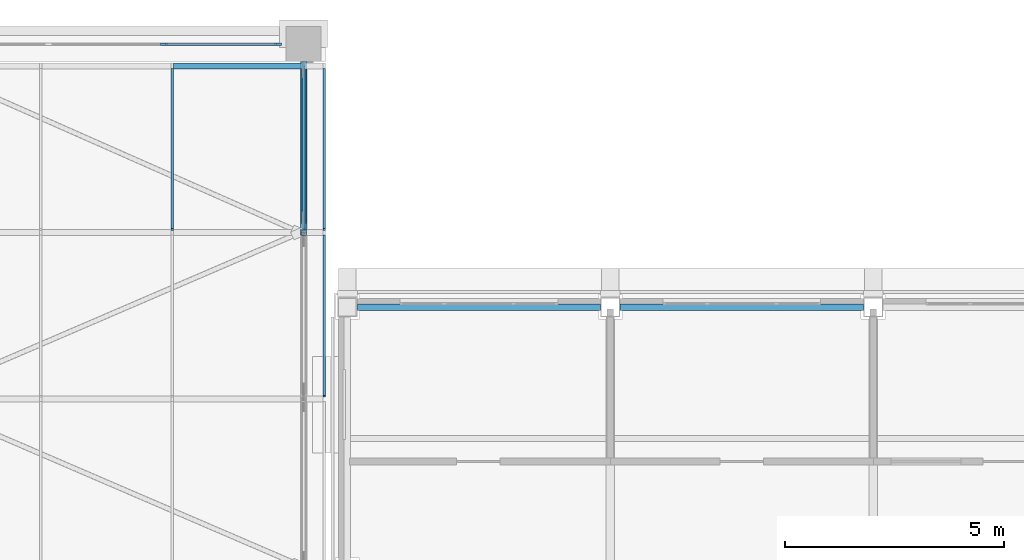
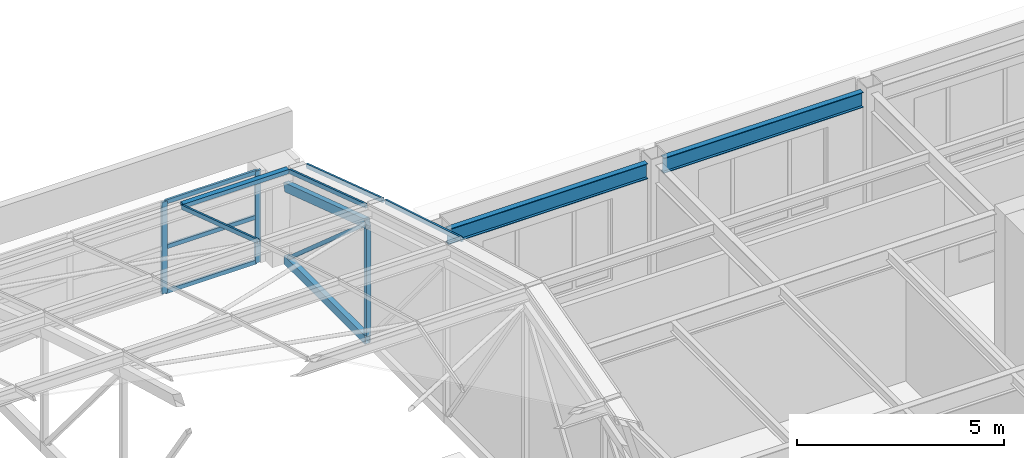
# One storey, part 43 of 82: 14 members, 2 beams, 2 elements without a shape of their own.
"""IFC4 building model written with IfcOpenShell, lengths in metres."""

from ifc_helpers import new_model, si_unit, direction, frame, origin, origin_2d, place, context, subcontext, project, spatial, rectangle, hollow_rectangle, i_section, extrude, material, material_profile, profile_set, type_object, element, aggregate, save


model = new_model("IFC4")

# Units and contexts
model_context = context("Model", 3, precision=1e-05, world=origin(), true_north=direction((0.0, 1.0)))
body_context = subcontext(model_context, "Body", "Model", "MODEL_VIEW")
ifc_project = project(units=[si_unit("LENGTHUNIT", "METRE"), si_unit("AREAUNIT", "SQUARE_METRE"), si_unit("VOLUMEUNIT", "CUBIC_METRE"), si_unit("PLANEANGLEUNIT", "RADIAN"), si_unit("MASSUNIT", "GRAM", prefix="KILO")], contexts=[model_context])

# Site, building, storey
site_placement = place(None, origin())
site = spatial("IfcSite", under=ifc_project, at=site_placement, CompositionType="ELEMENT")
building_placement = place(site_placement, origin())
building = spatial("IfcBuilding", under=site, at=building_placement, Name="Aravalli Gate Trade Fair Centre", CompositionType="ELEMENT")
storey_placement = place(building_placement, frame((0.0, 0.0, 19.199951171875)))
storey = spatial("IfcBuildingStorey", under=building, at=storey_placement, Name="L04", CompositionType="ELEMENT", Elevation=19.199951171875)

# Curtain wall, members
ifc_material_1 = material(Name="Aluminium and glass", Category="aluminium")
curtain_wall_type_1 = type_object("IfcCurtainWallType", Name="Curtain wall 3000 module", PredefinedType="NOTDEFINED", material=ifc_material_1)
curtain_wall_1_placement = place(storey_placement, origin())
curtain_wall_1 = element("IfcCurtainWall", 1, at=curtain_wall_1_placement, inside=storey, type_object=curtain_wall_type_1, Name="Curtain wall north bay 18 L04", PredefinedType="NOTDEFINED")
ifc_material_2 = material(Name="Aluminium", Category="aluminium")
ifc_material_profile_1 = material_profile(ifc_material_2, rectangle(XDim=0.06005859375, YDim=0.159912109375, at=origin_2d()), Name="Concourse curtain wall mullion 60 x 160")
ifc_profile_set_1 = profile_set([ifc_material_profile_1], Name="Aluminium")
member_type_1 = type_object("IfcMemberType", Name="Concourse curtain wall mullion 60 x 160", PredefinedType="MULLION", material=ifc_profile_set_1)
member_1_placement = place(storey_placement, frame((155.816650390625, 133.0, 0.0), z_axis=(0.0, 0.0, 1.0), x_axis=(0.0, 1.0, 0.0)))
member_1 = element("IfcMember", 2, at=member_1_placement, type_object=member_type_1, Name="CW1 mullion 3", PredefinedType="MULLION", context=body_context, shape_type="SweptSolid", body=[
    extrude(rectangle(XDim=0.06005859375, YDim=0.159912109375, at=origin_2d()), origin(), (0.0, 0.0, 1.0), 2.699951171875),
])
member_2_placement = place(storey_placement, frame((158.419921875, 133.0, 0.0), z_axis=(0.0, 0.0, 1.0), x_axis=(0.0, 1.0, 0.0)))
member_2 = element("IfcMember", 3, at=member_2_placement, type_object=member_type_1, Name="CW1 mullion 4", PredefinedType="MULLION", context=body_context, shape_type="SweptSolid", body=[
    extrude(rectangle(XDim=0.06005859375, YDim=0.159912109375, at=origin_2d()), origin(), (0.0, 0.0, 1.0), 2.699951171875),
])
ifc_material_profile_2 = material_profile(ifc_material_2, rectangle(XDim=0.06005859375, YDim=0.1201171875, at=origin_2d()), Name="Concourse curtain wall transom 60 x 120")
ifc_profile_set_2 = profile_set([ifc_material_profile_2], Name="Aluminium")
member_type_2 = type_object("IfcMemberType", Name="Concourse curtain wall transom 60 x 120", PredefinedType="USERDEFINED", material=ifc_profile_set_2)
member_3_placement = place(storey_placement, frame((155.8466796875, 133.0, 0.030029296875), z_axis=(1.0, 0.0, 0.0), x_axis=(0.0, 1.0, 0.0)))
member_3 = element("IfcMember", 4, at=member_3_placement, type_object=member_type_2, Name="CW1 transom 3.1", ObjectType="TRANSOM", PredefinedType="USERDEFINED", context=body_context, shape_type="SweptSolid", body=[
    extrude(rectangle(XDim=0.06005859375, YDim=0.1201171875, at=origin_2d()), origin(), (0.0, 0.0, 1.0), 2.543212890625),
])
member_4_placement = place(storey_placement, frame((155.8466796875, 133.0, 1.35009765625), z_axis=(1.0, 0.0, 0.0), x_axis=(0.0, 1.0, 0.0)))
member_4 = element("IfcMember", 5, at=member_4_placement, type_object=member_type_2, Name="CW1 transom 3.2", ObjectType="TRANSOM", PredefinedType="USERDEFINED", context=body_context, shape_type="SweptSolid", body=[
    extrude(rectangle(XDim=0.06005859375, YDim=0.1201171875, at=origin_2d()), origin(), (0.0, 0.0, 1.0), 2.543212890625),
])
member_5_placement = place(storey_placement, frame((155.8466796875, 133.0, 2.670166015625), z_axis=(1.0, 0.0, 0.0), x_axis=(0.0, 1.0, 0.0)))
member_5 = element("IfcMember", 6, at=member_5_placement, type_object=member_type_2, Name="CW1 transom 3.3", ObjectType="TRANSOM", PredefinedType="USERDEFINED", context=body_context, shape_type="SweptSolid", body=[
    extrude(rectangle(XDim=0.06005859375, YDim=0.1201171875, at=origin_2d()), origin(), (0.0, 0.0, 1.0), 2.543212890625),
])
aggregate(curtain_wall_1, [member_1, member_2, member_3, member_4, member_5])

# Members
ifc_material_3 = material(Name="Steel E350", Category="steel")
ifc_material_profile_3 = material_profile(ifc_material_3, hollow_rectangle(XDim=0.14990234375, YDim=0.25, WallThickness=0.010009765625, at=origin_2d()), Name="RHS 250x150x10")
ifc_profile_set_3 = profile_set([ifc_material_profile_3], Name="Steel E350")
member_type_3 = type_object("IfcMemberType", Name="RHS 250x150x10 CT2 truss chord", PredefinedType="CHORD", material=ifc_profile_set_3)
member_6_placement = place(storey_placement, frame((159.0, 128.699951171875, 3.54833984375), z_axis=(0.0, 0.949942278101, -0.312425460353), x_axis=(-1.0, 0.0, 0.0)))
element("IfcMember", 7, at=member_6_placement, inside=storey, type_object=member_type_3, Name="Concourse vault truss CT2 line E top chord T6", PredefinedType="CHORD", context=body_context, shape_type="SweptSolid", body=[
    extrude(hollow_rectangle(XDim=0.14990234375, YDim=0.25, WallThickness=0.010009765625, at=origin_2d()), origin(), (0.0, 0.0, 1.0), 4.105712890625),
])
member_7_placement = place(storey_placement, frame((159.0, 128.699951171875, 0.125), z_axis=(0.0, 1.0, 0.0), x_axis=(-1.0, 0.0, 0.0)))
element("IfcMember", 8, at=member_7_placement, inside=storey, type_object=member_type_3, Name="Concourse vault truss CT2 line E bottom chord B6", PredefinedType="CHORD", context=body_context, shape_type="SweptSolid", body=[
    extrude(hollow_rectangle(XDim=0.14990234375, YDim=0.25, WallThickness=0.010009765625, at=origin_2d()), origin(), (0.0, 0.0, 1.0), 3.900146484375),
])
ifc_material_profile_4 = material_profile(ifc_material_3, hollow_rectangle(XDim=0.10009765625, YDim=0.10009765625, WallThickness=0.006103515625, at=origin_2d()), Name="SHS 100x100x6")
ifc_profile_set_4 = profile_set([ifc_material_profile_4], Name="Steel E350")
member_type_4 = type_object("IfcMemberType", Name="SHS 100x100x6 CT2 truss diagonal", PredefinedType="BRACE", material=ifc_profile_set_4)
member_8_placement = place(storey_placement, frame((159.0, 128.939697265625, 3.338134765625), z_axis=(0.0, 0.751512751569, -0.659718564411), x_axis=(-1.0, 0.0, 0.0)))
element("IfcMember", 9, at=member_8_placement, inside=storey, type_object=member_type_4, Name="Concourse vault truss CT2 line E diagonal D6", PredefinedType="BRACE", context=body_context, shape_type="SweptSolid", body=[
    extrude(hollow_rectangle(XDim=0.10009765625, YDim=0.10009765625, WallThickness=0.006103515625, at=origin_2d()), origin(), (0.0, 0.0, 1.0), 4.680908203125),
])
ifc_material_profile_5 = material_profile(ifc_material_3, hollow_rectangle(XDim=0.125, YDim=0.125, WallThickness=0.006103515625, at=origin_2d()), Name="SHS 125x125x6")
ifc_profile_set_5 = profile_set([ifc_material_profile_5], Name="Steel E350")
member_type_5 = type_object("IfcMemberType", Name="SHS 125x125x6 CT2 truss post", PredefinedType="POST", material=ifc_profile_set_5)
member_9_placement = place(storey_placement, frame((159.0, 128.699951171875, 0.25), z_axis=(0.0, 0.0, 1.0), x_axis=(1.0, 0.0, 0.0)))
element("IfcMember", 10, at=member_9_placement, inside=storey, type_object=member_type_5, Name="Concourse vault truss CT2 line E post V5", PredefinedType="POST", context=body_context, shape_type="SweptSolid", body=[
    extrude(hollow_rectangle(XDim=0.125, YDim=0.125, WallThickness=0.006103515625, at=origin_2d()), origin(), (0.0, 0.0, 1.0), 3.166748046875),
])
ifc_material_profile_6 = material_profile(ifc_material_2, rectangle(XDim=0.139892578125, YDim=0.1201171875, at=origin_2d()), Name="Vault fold cap 140 x 120")
ifc_profile_set_6 = profile_set([ifc_material_profile_6], Name="Aluminium")
member_type_6 = type_object("IfcMemberType", Name="Vault fold cap 140 x 120", PredefinedType="USERDEFINED", material=ifc_profile_set_6)
member_10_placement = place(storey_placement, frame((156.030029296875, 132.5, 2.81298828125), z_axis=(1.0, 0.0, 0.0), x_axis=(0.0, 1.0, 0.0)))
element("IfcMember", 11, at=member_10_placement, inside=storey, type_object=member_type_6, Name="Vault fold cap e19.6", ObjectType="FOLD CAP", PredefinedType="USERDEFINED", context=body_context, shape_type="SweptSolid", body=[
    extrude(rectangle(XDim=0.139892578125, YDim=0.1201171875, at=origin_2d()), origin(), (0.0, 0.0, 1.0), 2.93994140625),
])

# Curtain wall, members
curtain_wall_type_2 = type_object("IfcCurtainWallType", Name="Vault curtain wall, sloped glazing", PredefinedType="NOTDEFINED", material=ifc_material_1)
curtain_wall_2_placement = place(storey_placement, origin())
curtain_wall_2 = element("IfcCurtainWall", 12, at=curtain_wall_2_placement, inside=storey, type_object=curtain_wall_type_2, Name="Vault curtain wall e", PredefinedType="NOTDEFINED")
ifc_material_profile_7 = material_profile(ifc_material_2, rectangle(XDim=0.06005859375, YDim=0.1201171875, at=origin_2d()), Name="Vault glazing bar 60 x 120")
ifc_profile_set_7 = profile_set([ifc_material_profile_7], Name="Aluminium")
member_type_7 = type_object("IfcMemberType", Name="Vault glazing bar 60 x 120", PredefinedType="USERDEFINED", material=ifc_profile_set_7)
member_11_placement = place(storey_placement, frame((156.0, 128.77001953125, 4.013916015625), z_axis=(0.0, 0.949930492103, -0.31246129388), x_axis=(-1.0, 0.0, 0.0)))
member_11 = element("IfcMember", 13, at=member_11_placement, type_object=member_type_7, Name="Vault glazing bar e19.6", ObjectType="GLAZING BAR", PredefinedType="USERDEFINED", context=body_context, shape_type="SweptSolid", body=[
    extrude(rectangle(XDim=0.06005859375, YDim=0.1201171875, at=origin_2d()), origin(), (0.0, 0.0, 1.0), 3.852783203125),
])
member_12_placement = place(storey_placement, frame((159.0, 128.77001953125, 4.013916015625), z_axis=(0.0, 0.949930492103, -0.31246129388), x_axis=(-1.0, 0.0, 0.0)))
member_12 = element("IfcMember", 14, at=member_12_placement, type_object=member_type_7, Name="Vault glazing bar e20.6", ObjectType="GLAZING BAR", PredefinedType="USERDEFINED", context=body_context, shape_type="SweptSolid", body=[
    extrude(rectangle(XDim=0.06005859375, YDim=0.1201171875, at=origin_2d()), origin(), (0.0, 0.0, 1.0), 3.852783203125),
])
member_13_placement = place(storey_placement, frame((159.469970703125, 124.969970703125, 5.166259765625), z_axis=(0.0, 0.957125834694, -0.289672464279), x_axis=(-1.0, 0.0, 0.0)))
member_13 = element("IfcMember", 15, at=member_13_placement, type_object=member_type_7, Name="Vault glazing bar e21.5", ObjectType="GLAZING BAR", PredefinedType="USERDEFINED", context=body_context, shape_type="SweptSolid", body=[
    extrude(rectangle(XDim=0.06005859375, YDim=0.1201171875, at=origin_2d()), origin(), (0.0, 0.0, 1.0), 3.823974609375),
])
member_14_placement = place(storey_placement, frame((159.469970703125, 128.77001953125, 4.013916015625), z_axis=(0.0, 0.949930492103, -0.31246129388), x_axis=(-1.0, 0.0, 0.0)))
member_14 = element("IfcMember", 16, at=member_14_placement, type_object=member_type_7, Name="Vault glazing bar e21.6", ObjectType="GLAZING BAR", PredefinedType="USERDEFINED", context=body_context, shape_type="SweptSolid", body=[
    extrude(rectangle(XDim=0.06005859375, YDim=0.1201171875, at=origin_2d()), origin(), (0.0, 0.0, 1.0), 3.852783203125),
])
aggregate(curtain_wall_2, [member_11, member_12, member_13, member_14])

# Beams
ifc_material_profile_8 = material_profile(ifc_material_3, i_section(OverallWidth=0.14990234375, OverallDepth=0.449951171875, WebThickness=0.009521484375, FlangeThickness=0.017333984375, at=origin_2d()), Name="ISMB 450")
ifc_profile_set_8 = profile_set([ifc_material_profile_8], Name="Steel E350")
beam_type = type_object("IfcBeamType", Name="Wing perimeter beam ISMB 450 (capital and roof)", PredefinedType="BEAM", material=ifc_profile_set_8)
for number, where, z_axis, x_axis, name in (
    (17, (160.22509765625, 127.0, 3.775146484375), (1.0, 0.0, 0.0), (0.0, 1.0, 0.0), "Perimeter beam EQ0 ROOF LEVEL 1"),
    (18, (166.22509765625, 127.0, 3.775146484375), (1.0, 0.0, 0.0), (0.0, 1.0, 0.0), "Perimeter beam EQ1 ROOF LEVEL 1"),
):
    element("IfcBeam", number, at=place(storey_placement, frame(where, z_axis=z_axis, x_axis=x_axis)), inside=storey, type_object=beam_type, Name=name, PredefinedType="BEAM", context=body_context, shape_type="SweptSolid", body=[
        extrude(i_section(OverallWidth=0.14990234375, OverallDepth=0.449951171875, WebThickness=0.009521484375, FlangeThickness=0.017333984375, at=origin_2d()), origin(), (0.0, 0.0, 1.0), 5.5498046875),
    ])

save(model, "model.ifc")
